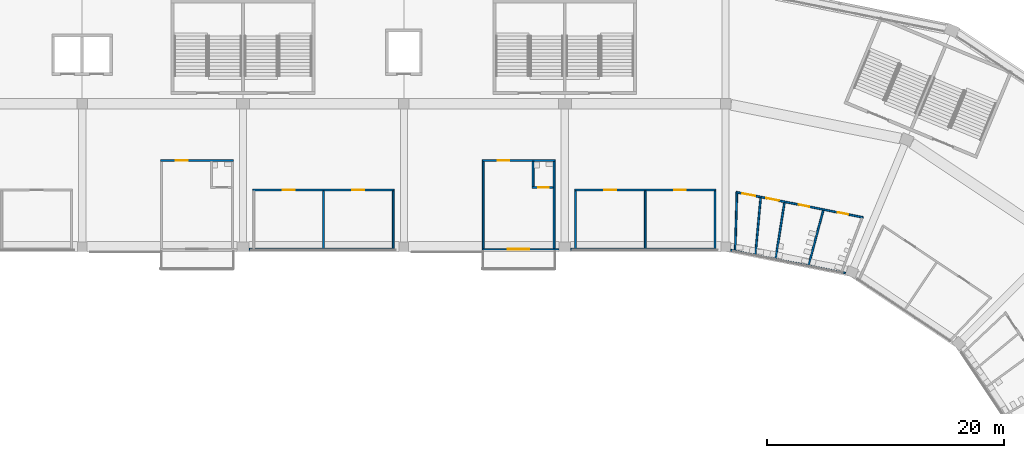
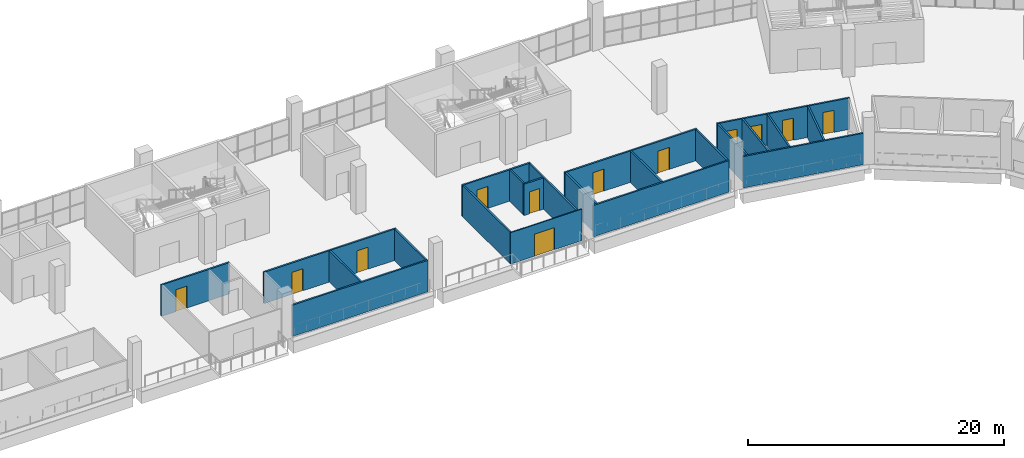
# One storey, part 84 of 199: 22 walls, 12 doors, 12 openings.
"""IFC4 building model written with IfcOpenShell, lengths in metres."""

from ifc_helpers import new_model, si_unit, direction, frame, frame_2d, origin, place, context, subcontext, project, spatial, rectangle, extrude, material, layer, layer_set, type_object, element, fill, save


model = new_model("IFC4")

# Units and contexts
model_context = context("Model", 3, precision=1e-05, world=origin(), true_north=direction((0.0, 1.0)))
body_context = subcontext(model_context, "Body", "Model", "MODEL_VIEW")
ifc_project = project(units=[si_unit("LENGTHUNIT", "METRE"), si_unit("AREAUNIT", "SQUARE_METRE"), si_unit("VOLUMEUNIT", "CUBIC_METRE"), si_unit("PLANEANGLEUNIT", "RADIAN"), si_unit("MASSUNIT", "GRAM", prefix="KILO")], contexts=[model_context])

# Site, building, storey
site_placement = place(None, origin())
site = spatial("IfcSite", under=ifc_project, at=site_placement, CompositionType="ELEMENT")
building_placement = place(site_placement, origin())
building = spatial("IfcBuilding", under=site, at=building_placement, Name="Ogive Plaza Stadium", CompositionType="ELEMENT")
storey_placement = place(building_placement, frame((0.0, 0.0, 9.0)))
storey = spatial("IfcBuildingStorey", under=building, at=storey_placement, Name="L02", CompositionType="ELEMENT", Elevation=9.0)

# Wall, opening, door
ifc_material_1 = material(Name="Masonry blockwork", Category="masonry")
ifc_layer_1 = layer(ifc_material_1, 0.14990234375)
ifc_layer_set_1 = layer_set([ifc_layer_1], Name="Blockwork wall 150")
wall_type_1 = type_object("IfcWallType", Name="Blockwork wall 150", PredefinedType="SOLIDWALL", material=ifc_layer_set_1)
wall_1_placement = place(storey_placement, frame((-7.625, 87.699951171875, 0.0), z_axis=(0.0, 0.0, 1.0), x_axis=(-1.0, 0.0, 0.0)))
wall_1 = element("IfcWall", 1, at=wall_1_placement, inside=storey, type_object=wall_type_1, Name="Wall L02 B33", PredefinedType="SOLIDWALL", context=body_context, shape_type="SweptSolid", body=[
    extrude(rectangle(XDim=6.14990234375, YDim=0.14990234375, at=frame_2d((3.074951171875, 0.0))), origin(), (0.0, 0.0, 1.0), 3.0),
])
opening_1_placement = place(wall_1_placement, frame((3.862060546875, 0.0, 0.0)))
opening_1 = element("IfcOpeningElement", 2, at=opening_1_placement, cuts=wall_1, Name="Opening D0727", PredefinedType="OPENING", context=body_context, shape_type="SweptSolid", body=[
    extrude(rectangle(XDim=1.0, YDim=2.10009765625, at=frame_2d((0.5, 1.050048828125))), frame((0.0, 0.074951171875, 0.0), z_axis=(0.0, -1.0, 0.0), x_axis=(1.0, 0.0, 0.0)), (0.0, 0.0, 1.0), 0.14990234375),
])
ifc_material_2 = material(Name="Steel ASTM A572 Grade 50", Category="steel")
door_type_1 = type_object("IfcDoorType", Name="Fire door FD30S 1000 x 2100", OperationType="SINGLE_SWING_LEFT", PredefinedType="DOOR", material=ifc_material_2)
door_1_placement = place(opening_1_placement, origin())
door_1 = element("IfcDoor", 3, at=door_1_placement, inside=storey, type_object=door_type_1, Name="Hospitality Suite B33 door", OperationType="SINGLE_SWING_LEFT", OverallHeight=2.10009765625, OverallWidth=1.0, PredefinedType="DOOR", context=body_context, shape_type="SweptSolid", body=[
    extrude(rectangle(XDim=1.0, YDim=2.10009765625, at=frame_2d((0.5, 1.050048828125))), frame((0.0, 0.02490234375, 0.0), z_axis=(0.0, -1.0, 0.0), x_axis=(1.0, 0.0, 0.0)), (0.0, 0.0, 1.0), 0.050048828125),
])
fill(opening_1, door_1)

# Wall
wall_2_placement = place(storey_placement, frame((-6.300048828125, 80.199951171875, 0.0), z_axis=(0.0, 0.0, 1.0), x_axis=(1.0, 0.0, 0.0)))
element("IfcWall", 4, at=wall_2_placement, inside=storey, type_object=wall_type_1, Name="Wall L02 B34", PredefinedType="SOLIDWALL", context=body_context, shape_type="SweptSolid", body=[
    extrude(rectangle(XDim=12.275146484375, YDim=0.14990234375, at=frame_2d((6.1376953125, 0.0))), origin(), (0.0, 0.0, 1.0), 3.0),
])

# Wall, openings, doors
wall_3_placement = place(storey_placement, frame((-5.97509765625, 85.199951171875, 0.0), z_axis=(0.0, 0.0, 1.0), x_axis=(1.0, 0.0, 0.0)))
wall_3 = element("IfcWall", 5, at=wall_3_placement, inside=storey, type_object=wall_type_1, Name="Wall L02 B34", PredefinedType="SOLIDWALL", context=body_context, shape_type="SweptSolid", body=[
    extrude(rectangle(XDim=11.9501953125, YDim=0.14990234375, at=frame_2d((5.97509765625, 0.0))), origin(), (0.0, 0.0, 1.0), 3.0),
])
opening_2_placement = place(wall_3_placement, frame((2.52490234375, 0.0, 0.0)))
opening_2 = element("IfcOpeningElement", 6, at=opening_2_placement, cuts=wall_3, Name="Opening D0730", PredefinedType="OPENING", context=body_context, shape_type="SweptSolid", body=[
    extrude(rectangle(XDim=1.0, YDim=2.10009765625, at=frame_2d((0.5, 1.050048828125))), frame((0.0, 0.074951171875, 0.0), z_axis=(0.0, -1.0, 0.0), x_axis=(1.0, 0.0, 0.0)), (0.0, 0.0, 1.0), 0.14990234375),
])
opening_3_placement = place(wall_3_placement, frame((8.425048828125, 0.0, 0.0)))
opening_3 = element("IfcOpeningElement", 7, at=opening_3_placement, cuts=wall_3, Name="Opening D0731", PredefinedType="OPENING", context=body_context, shape_type="SweptSolid", body=[
    extrude(rectangle(XDim=1.0, YDim=2.10009765625, at=frame_2d((0.5, 1.050048828125))), frame((0.0, 0.074951171875, 0.0), z_axis=(0.0, -1.0, 0.0), x_axis=(1.0, 0.0, 0.0)), (0.0, 0.0, 1.0), 0.14990234375),
])
ifc_material_3 = material(Name="Steel ASTM A572 Grade 50", Category="steel")
door_type_2 = type_object("IfcDoorType", Name="Fire door FD60 1000 x 2100", OperationType="SINGLE_SWING_LEFT", PredefinedType="DOOR", material=ifc_material_3)
door_2_placement = place(opening_2_placement, origin())
door_2 = element("IfcDoor", 8, at=door_2_placement, inside=storey, type_object=door_type_2, Name="Hospitality Pantry B34 door", OperationType="SINGLE_SWING_LEFT", OverallHeight=2.10009765625, OverallWidth=1.0, PredefinedType="DOOR", context=body_context, shape_type="SweptSolid", body=[
    extrude(rectangle(XDim=1.0, YDim=2.10009765625, at=frame_2d((0.5, 1.050048828125))), frame((0.0, 0.02490234375, 0.0), z_axis=(0.0, -1.0, 0.0), x_axis=(1.0, 0.0, 0.0)), (0.0, 0.0, 1.0), 0.050048828125),
])
fill(opening_2, door_2)
door_3_placement = place(opening_3_placement, origin())
door_3 = element("IfcDoor", 9, at=door_3_placement, inside=storey, type_object=door_type_2, Name="Hospitality Store B34 door", OperationType="SINGLE_SWING_RIGHT", OverallHeight=2.10009765625, OverallWidth=1.0, PredefinedType="DOOR", context=body_context, shape_type="SweptSolid", body=[
    extrude(rectangle(XDim=1.0, YDim=2.10009765625, at=frame_2d((0.5, 1.050048828125))), frame((0.0, 0.02490234375, 0.0), z_axis=(0.0, -1.0, 0.0), x_axis=(1.0, 0.0, 0.0)), (0.0, 0.0, 1.0), 0.050048828125),
])
fill(opening_3, door_3)

# Walls
for number, where, z_axis, x_axis, name in (
    (10, (0.0, 80.27490234375, 0.0), (0.0, 0.0, 1.0), (0.0, 1.0, 0.0), "Wall L02 B34"),
    (11, (5.89990234375, 80.27490234375, 0.0), (0.0, 0.0, 1.0), (0.0, 1.0, 0.0), "Wall L02 B34"),
):
    element("IfcWall", number, at=place(storey_placement, frame(where, z_axis=z_axis, x_axis=x_axis)), inside=storey, type_object=wall_type_1, Name=name, PredefinedType="SOLIDWALL", context=body_context, shape_type="SweptSolid", body=[
        extrude(rectangle(XDim=4.85009765625, YDim=0.14990234375, at=frame_2d((2.425048828125, 0.0))), origin(), (0.0, 0.0, 1.0), 3.0),
    ])

# Wall, opening, door
wall_4_placement = place(storey_placement, frame((19.574951171875, 87.699951171875, 0.0), z_axis=(0.0, 0.0, 1.0), x_axis=(-1.0, 0.0, 0.0)))
wall_4 = element("IfcWall", 12, at=wall_4_placement, inside=storey, type_object=wall_type_1, Name="Wall L02 B35", PredefinedType="SOLIDWALL", context=body_context, shape_type="SweptSolid", body=[
    extrude(rectangle(XDim=6.14990234375, YDim=0.14990234375, at=frame_2d((3.074951171875, 0.0))), origin(), (0.0, 0.0, 1.0), 3.0),
])
opening_4_placement = place(wall_4_placement, frame((3.862060546875, 0.0, 0.0)))
opening_4 = element("IfcOpeningElement", 13, at=opening_4_placement, cuts=wall_4, Name="Opening D0732", PredefinedType="OPENING", context=body_context, shape_type="SweptSolid", body=[
    extrude(rectangle(XDim=1.0, YDim=2.10009765625, at=frame_2d((0.5, 1.050048828125))), frame((0.0, 0.074951171875, 0.0), z_axis=(0.0, -1.0, 0.0), x_axis=(1.0, 0.0, 0.0)), (0.0, 0.0, 1.0), 0.14990234375),
])
door_4_placement = place(opening_4_placement, origin())
door_4 = element("IfcDoor", 14, at=door_4_placement, inside=storey, type_object=door_type_1, Name="Hospitality Suite B35 door", OperationType="SINGLE_SWING_LEFT", OverallHeight=2.10009765625, OverallWidth=1.0, PredefinedType="DOOR", context=body_context, shape_type="SweptSolid", body=[
    extrude(rectangle(XDim=1.0, YDim=2.10009765625, at=frame_2d((0.5, 1.050048828125))), frame((0.0, 0.02490234375, 0.0), z_axis=(0.0, -1.0, 0.0), x_axis=(1.0, 0.0, 0.0)), (0.0, 0.0, 1.0), 0.050048828125),
])
fill(opening_4, door_4)

# Walls
for number, where, z_axis, x_axis, name in (
    (15, (19.5, 80.25, 0.0), (0.0, 0.0, 1.0), (0.0, 1.0, 0.0), "Wall L02 B35"),
    (16, (13.5, 80.25, 0.0), (0.0, 0.0, 1.0), (0.0, 1.0, 0.0), "Wall L02 B35"),
):
    element("IfcWall", number, at=place(storey_placement, frame(where, z_axis=z_axis, x_axis=x_axis)), inside=storey, type_object=wall_type_1, Name=name, PredefinedType="SOLIDWALL", context=body_context, shape_type="SweptSolid", body=[
        extrude(rectangle(XDim=7.375, YDim=0.14990234375, at=frame_2d((3.6875, 0.0))), origin(), (0.0, 0.0, 1.0), 3.0),
    ])
wall_5_placement = place(storey_placement, frame((20.89990234375, 80.199951171875, 0.0), z_axis=(0.0, 0.0, 1.0), x_axis=(1.0, 0.0, 0.0)))
element("IfcWall", 17, at=wall_5_placement, inside=storey, type_object=wall_type_1, Name="Wall L02 B36", PredefinedType="SOLIDWALL", context=body_context, shape_type="SweptSolid", body=[
    extrude(rectangle(XDim=12.275146484375, YDim=0.14990234375, at=frame_2d((6.1376953125, 0.0))), origin(), (0.0, 0.0, 1.0), 3.0),
])

# Wall, openings, doors
wall_6_placement = place(storey_placement, frame((21.22509765625, 85.199951171875, 0.0), z_axis=(0.0, 0.0, 1.0), x_axis=(1.0, 0.0, 0.0)))
wall_6 = element("IfcWall", 18, at=wall_6_placement, inside=storey, type_object=wall_type_1, Name="Wall L02 B36", PredefinedType="SOLIDWALL", context=body_context, shape_type="SweptSolid", body=[
    extrude(rectangle(XDim=11.949951171875, YDim=0.14990234375, at=frame_2d((5.97509765625, 0.0))), origin(), (0.0, 0.0, 1.0), 3.0),
])
opening_5_placement = place(wall_6_placement, frame((2.52490234375, 0.0, 0.0)))
opening_5 = element("IfcOpeningElement", 19, at=opening_5_placement, cuts=wall_6, Name="Opening D0735", PredefinedType="OPENING", context=body_context, shape_type="SweptSolid", body=[
    extrude(rectangle(XDim=1.0, YDim=2.10009765625, at=frame_2d((0.5, 1.050048828125))), frame((0.0, 0.074951171875, 0.0), z_axis=(0.0, -1.0, 0.0), x_axis=(1.0, 0.0, 0.0)), (0.0, 0.0, 1.0), 0.14990234375),
])
opening_6_placement = place(wall_6_placement, frame((8.425048828125, 0.0, 0.0)))
opening_6 = element("IfcOpeningElement", 20, at=opening_6_placement, cuts=wall_6, Name="Opening D0736", PredefinedType="OPENING", context=body_context, shape_type="SweptSolid", body=[
    extrude(rectangle(XDim=1.0, YDim=2.10009765625, at=frame_2d((0.5, 1.050048828125))), frame((0.0, 0.074951171875, 0.0), z_axis=(0.0, -1.0, 0.0), x_axis=(1.0, 0.0, 0.0)), (0.0, 0.0, 1.0), 0.14990234375),
])
door_5_placement = place(opening_5_placement, origin())
door_5 = element("IfcDoor", 21, at=door_5_placement, inside=storey, type_object=door_type_2, Name="Hospitality Pantry B36 door", OperationType="SINGLE_SWING_RIGHT", OverallHeight=2.10009765625, OverallWidth=1.0, PredefinedType="DOOR", context=body_context, shape_type="SweptSolid", body=[
    extrude(rectangle(XDim=1.0, YDim=2.10009765625, at=frame_2d((0.5, 1.050048828125))), frame((0.0, 0.02490234375, 0.0), z_axis=(0.0, -1.0, 0.0), x_axis=(1.0, 0.0, 0.0)), (0.0, 0.0, 1.0), 0.050048828125),
])
fill(opening_5, door_5)
door_6_placement = place(opening_6_placement, origin())
door_6 = element("IfcDoor", 22, at=door_6_placement, inside=storey, type_object=door_type_2, Name="Hospitality Store B36 door", OperationType="SINGLE_SWING_LEFT", OverallHeight=2.10009765625, OverallWidth=1.0, PredefinedType="DOOR", context=body_context, shape_type="SweptSolid", body=[
    extrude(rectangle(XDim=1.0, YDim=2.10009765625, at=frame_2d((0.5, 1.050048828125))), frame((0.0, 0.02490234375, 0.0), z_axis=(0.0, -1.0, 0.0), x_axis=(1.0, 0.0, 0.0)), (0.0, 0.0, 1.0), 0.050048828125),
])
fill(opening_6, door_6)

# Walls
for number, where, z_axis, x_axis, name in (
    (23, (21.300048828125, 80.27490234375, 0.0), (0.0, 0.0, 1.0), (0.0, 1.0, 0.0), "Wall L02 B36"),
    (24, (27.199951171875, 80.27490234375, 0.0), (0.0, 0.0, 1.0), (0.0, 1.0, 0.0), "Wall L02 B36"),
    (25, (33.10009765625, 80.27490234375, 0.0), (0.0, 0.0, 1.0), (0.0, 1.0, 0.0), "Wall L02 B36"),
):
    element("IfcWall", number, at=place(storey_placement, frame(where, z_axis=z_axis, x_axis=x_axis)), inside=storey, type_object=wall_type_1, Name=name, PredefinedType="SOLIDWALL", context=body_context, shape_type="SweptSolid", body=[
        extrude(rectangle(XDim=4.85009765625, YDim=0.14990234375, at=frame_2d((2.425048828125, 0.0))), origin(), (0.0, 0.0, 1.0), 3.0),
    ])

# Wall, opening, door
ifc_material_4 = material(Name="Laminated glass in aluminium frame", Category="aluminium")
ifc_layer_2 = layer(ifc_material_4, 0.10009765625)
ifc_layer_set_2 = layer_set([ifc_layer_2], Name="Glazed partition 100")
wall_type_2 = type_object("IfcWallType", Name="Glazed partition 100", PredefinedType="PARTITIONING", material=ifc_layer_set_2)
wall_7_placement = place(storey_placement, frame((19.89990234375, 80.199951171875, 0.0), z_axis=(0.0, 0.0, 1.0), x_axis=(-1.0, 0.0, 0.0)))
wall_7 = element("IfcWall", 26, at=wall_7_placement, inside=storey, type_object=wall_type_2, Name="Wall L02 B35", PredefinedType="PARTITIONING", context=body_context, shape_type="SweptSolid", body=[
    extrude(rectangle(XDim=6.474853515625, YDim=0.10009765625, at=frame_2d((3.2373046875, 0.0))), origin(), (0.0, 0.0, 1.0), 3.0),
])
opening_7_placement = place(wall_7_placement, frame((2.5, 0.0, 0.0)))
opening_7 = element("IfcOpeningElement", 27, at=opening_7_placement, cuts=wall_7, Name="Opening D0733", PredefinedType="OPENING", context=body_context, shape_type="SweptSolid", body=[
    extrude(rectangle(XDim=1.800048828125, YDim=2.10009765625, at=frame_2d((0.89990234375, 1.050048828125))), frame((0.0, 0.050048828125, 0.0), z_axis=(0.0, -1.0, 0.0), x_axis=(1.0, 0.0, 0.0)), (0.0, 0.0, 1.0), 0.10009765625),
])
ifc_material_5 = material(Name="Steel ASTM A572 Grade 50", Category="steel")
door_type_3 = type_object("IfcDoorType", Name="Door pair 1800 x 2100", OperationType="DOUBLE_DOOR_SINGLE_SWING", PredefinedType="DOOR", material=ifc_material_5)
door_7_placement = place(opening_7_placement, origin())
door_7 = element("IfcDoor", 28, at=door_7_placement, inside=storey, type_object=door_type_3, Name="Suite terrace door B35", OperationType="DOUBLE_DOOR_SINGLE_SWING", OverallHeight=2.10009765625, OverallWidth=1.800048828125, PredefinedType="DOOR", context=body_context, shape_type="SweptSolid", body=[
    extrude(rectangle(XDim=1.800048828125, YDim=2.10009765625, at=frame_2d((0.89990234375, 1.050048828125))), frame((0.0, 0.02490234375, 0.0), z_axis=(0.0, -1.0, 0.0), x_axis=(1.0, 0.0, 0.0)), (0.0, 0.0, 1.0), 0.050048828125),
])
fill(opening_7, door_7)

ifc_material_6 = material(Name="Gypsum board partition", Category="gypsum")
ifc_layer_3 = layer(ifc_material_6, 0.14990234375)
ifc_layer_set_3 = layer_set([ifc_layer_3], Name="Partition 150")
wall_type_3 = type_object("IfcWallType", Name="Partition 150", PredefinedType="PARTITIONING", material=ifc_layer_set_3)
wall_8_placement = place(storey_placement, frame((19.425048828125, 85.425048828125, 0.0), z_axis=(0.0, 0.0, 1.0), x_axis=(-1.0, 0.0, 0.0)))
wall_8 = element("IfcWall", 29, at=wall_8_placement, inside=storey, type_object=wall_type_3, Name="Wall L02 B35", PredefinedType="PARTITIONING", context=body_context, shape_type="SweptSolid", body=[
    extrude(rectangle(XDim=1.775146484375, YDim=0.14990234375, at=frame_2d((0.8876953125, 0.0))), origin(), (0.0, 0.0, 1.0), 3.0),
])
opening_8_placement = place(wall_8_placement, frame((0.362548828125, 0.0, 0.0)))
opening_8 = element("IfcOpeningElement", 30, at=opening_8_placement, cuts=wall_8, Name="Opening D0734", PredefinedType="OPENING", context=body_context, shape_type="SweptSolid", body=[
    extrude(rectangle(XDim=0.89990234375, YDim=2.10009765625, at=frame_2d((0.449951171875, 1.050048828125))), frame((0.0, 0.074951171875, 0.0), z_axis=(0.0, -1.0, 0.0), x_axis=(1.0, 0.0, 0.0)), (0.0, 0.0, 1.0), 0.14990234375),
])
ifc_material_7 = material(Name="Steel ASTM A572 Grade 50", Category="steel")
door_type_4 = type_object("IfcDoorType", Name="Door 900 x 2100", OperationType="SINGLE_SWING_LEFT", PredefinedType="DOOR", material=ifc_material_7)
door_8_placement = place(opening_8_placement, origin())
door_8 = element("IfcDoor", 31, at=door_8_placement, inside=storey, type_object=door_type_4, Name="Suite WC B35 door", OperationType="SINGLE_SWING_LEFT", OverallHeight=2.10009765625, OverallWidth=0.89990234375, PredefinedType="DOOR", context=body_context, shape_type="SweptSolid", body=[
    extrude(rectangle(XDim=0.89990234375, YDim=2.10009765625, at=frame_2d((0.449951171875, 1.050048828125))), frame((0.0, 0.02490234375, 0.0), z_axis=(0.0, -1.0, 0.0), x_axis=(1.0, 0.0, 0.0)), (0.0, 0.0, 1.0), 0.050048828125),
])
fill(opening_8, door_8)

# Walls
wall_9_placement = place(storey_placement, frame((17.72509765625, 85.5, 0.0), z_axis=(0.0, 0.0, 1.0), x_axis=(0.0, 1.0, 0.0)))
element("IfcWall", 32, at=wall_9_placement, inside=storey, type_object=wall_type_3, Name="Wall L02 B35", PredefinedType="PARTITIONING", context=body_context, shape_type="SweptSolid", body=[
    extrude(rectangle(XDim=2.125, YDim=0.14990234375, at=frame_2d((1.0625, 0.0))), origin(), (0.0, 0.0, 1.0), 3.0),
])
wall_10_placement = place(storey_placement, frame((44.150390625, 78.180908203125, 0.0), z_axis=(0.0, 0.0, 1.0), x_axis=(-0.980786042223, 0.195086492048, 0.0)))
element("IfcWall", 33, at=wall_10_placement, inside=storey, type_object=wall_type_3, Name="Wall L02 B37", PredefinedType="PARTITIONING", context=body_context, shape_type="SweptSolid", body=[
    extrude(rectangle(XDim=9.94140625, YDim=0.14990234375, at=frame_2d((4.970703125, 0.0))), origin(), (0.0, 0.0, 1.0), 3.0),
])

# Wall, openings, doors
wall_11_placement = place(storey_placement, frame((45.6376953125, 82.88525390625, 0.0), z_axis=(0.0, 0.0, 1.0), x_axis=(-0.980788934186, 0.195071952313, 0.0)))
wall_11 = element("IfcWall", 34, at=wall_11_placement, inside=storey, type_object=wall_type_3, Name="Wall L02 B37", PredefinedType="PARTITIONING", context=body_context, shape_type="SweptSolid", body=[
    extrude(rectangle(XDim=10.97216796875, YDim=0.14990234375, at=frame_2d((5.486083984375, 0.0))), origin(), (0.0, 0.0, 1.0), 3.0),
])
opening_9_placement = place(wall_11_placement, frame((1.306640625, 0.0, 0.0)))
opening_9 = element("IfcOpeningElement", 35, at=opening_9_placement, cuts=wall_11, Name="Opening D0737", PredefinedType="OPENING", context=body_context, shape_type="SweptSolid", body=[
    extrude(rectangle(XDim=0.89990234375, YDim=2.10009765625, at=frame_2d((0.449951171875, 1.050048828125))), frame((0.0, 0.074951171875, 0.0), z_axis=(0.0, -1.0, 0.0), x_axis=(1.0, 0.0, 0.0)), (0.0, 0.0, 1.0), 0.14990234375),
])
opening_10_placement = place(wall_11_placement, frame((4.65771484375, 0.0, 0.0)))
opening_10 = element("IfcOpeningElement", 36, at=opening_10_placement, cuts=wall_11, Name="Opening D0738", PredefinedType="OPENING", context=body_context, shape_type="SweptSolid", body=[
    extrude(rectangle(XDim=0.89990234375, YDim=2.10009765625, at=frame_2d((0.449951171875, 1.050048828125))), frame((0.0, 0.074951171875, 0.0), z_axis=(0.0, -1.0, 0.0), x_axis=(1.0, 0.0, 0.0)), (0.0, 0.0, 1.0), 0.14990234375),
])
opening_11_placement = place(wall_11_placement, frame((7.26025390625, 0.0, 0.0)))
opening_11 = element("IfcOpeningElement", 37, at=opening_11_placement, cuts=wall_11, Name="Opening D0739", PredefinedType="OPENING", context=body_context, shape_type="SweptSolid", body=[
    extrude(rectangle(XDim=1.10009765625, YDim=2.10009765625, at=frame_2d((0.550048828125, 1.050048828125))), frame((0.0, 0.074951171875, 0.0), z_axis=(0.0, -1.0, 0.0), x_axis=(1.0, 0.0, 0.0)), (0.0, 0.0, 1.0), 0.14990234375),
])
opening_12_placement = place(wall_11_placement, frame((9.314208984375, 0.0, 0.0)))
opening_12 = element("IfcOpeningElement", 38, at=opening_12_placement, cuts=wall_11, Name="Opening D0740", PredefinedType="OPENING", context=body_context, shape_type="SweptSolid", body=[
    extrude(rectangle(XDim=1.10009765625, YDim=2.10009765625, at=frame_2d((0.550048828125, 1.050048828125))), frame((0.0, 0.074951171875, 0.0), z_axis=(0.0, -1.0, 0.0), x_axis=(1.0, 0.0, 0.0)), (0.0, 0.0, 1.0), 0.14990234375),
])
ifc_material_8 = material(Name="Steel ASTM A572 Grade 50", Category="steel")
door_type_5 = type_object("IfcDoorType", Name="Accessible door 1100 x 2100", OperationType="SINGLE_SWING_LEFT", PredefinedType="DOOR", material=ifc_material_8)
door_9_placement = place(opening_11_placement, origin())
door_9 = element("IfcDoor", 39, at=door_9_placement, inside=storey, type_object=door_type_5, Name="Accessible WC B37 door", OperationType="SINGLE_SWING_LEFT", OverallHeight=2.10009765625, OverallWidth=1.10009765625, PredefinedType="DOOR", context=body_context, shape_type="SweptSolid", body=[
    extrude(rectangle(XDim=1.10009765625, YDim=2.10009765625, at=frame_2d((0.550048828125, 1.050048828125))), frame((0.0, 0.02490234375, 0.0), z_axis=(0.0, -1.0, 0.0), x_axis=(1.0, 0.0, 0.0)), (0.0, 0.0, 1.0), 0.050048828125),
])
fill(opening_11, door_9)
door_10_placement = place(opening_12_placement, origin())
door_10 = element("IfcDoor", 40, at=door_10_placement, inside=storey, type_object=door_type_5, Name="Family WC B37 door", OperationType="SINGLE_SWING_LEFT", OverallHeight=2.10009765625, OverallWidth=1.10009765625, PredefinedType="DOOR", context=body_context, shape_type="SweptSolid", body=[
    extrude(rectangle(XDim=1.10009765625, YDim=2.10009765625, at=frame_2d((0.550048828125, 1.050048828125))), frame((0.0, 0.02490234375, 0.0), z_axis=(0.0, -1.0, 0.0), x_axis=(1.0, 0.0, 0.0)), (0.0, 0.0, 1.0), 0.050048828125),
])
fill(opening_12, door_10)
door_11_placement = place(opening_9_placement, origin())
door_11 = element("IfcDoor", 41, at=door_11_placement, inside=storey, type_object=door_type_4, Name="Men's Toilet B37 door", OperationType="SINGLE_SWING_RIGHT", OverallHeight=2.10009765625, OverallWidth=0.89990234375, PredefinedType="DOOR", context=body_context, shape_type="SweptSolid", body=[
    extrude(rectangle(XDim=0.89990234375, YDim=2.10009765625, at=frame_2d((0.449951171875, 1.050048828125))), frame((0.0, 0.02490234375, 0.0), z_axis=(0.0, -1.0, 0.0), x_axis=(1.0, 0.0, 0.0)), (0.0, 0.0, 1.0), 0.050048828125),
])
fill(opening_9, door_11)
door_12_placement = place(opening_10_placement, origin())
door_12 = element("IfcDoor", 42, at=door_12_placement, inside=storey, type_object=door_type_4, Name="Women's Toilet B37 door", OperationType="SINGLE_SWING_RIGHT", OverallHeight=2.10009765625, OverallWidth=0.89990234375, PredefinedType="DOOR", context=body_context, shape_type="SweptSolid", body=[
    extrude(rectangle(XDim=0.89990234375, YDim=2.10009765625, at=frame_2d((0.449951171875, 1.050048828125))), frame((0.0, 0.02490234375, 0.0), z_axis=(0.0, -1.0, 0.0), x_axis=(1.0, 0.0, 0.0)), (0.0, 0.0, 1.0), 0.050048828125),
])
fill(opening_10, door_12)

# Walls
wall_12_placement = place(storey_placement, frame((41.025634765625, 78.87744140625, 0.0), z_axis=(0.0, 0.0, 1.0), x_axis=(0.257378912157, 0.966310558556, 0.0)))
element("IfcWall", 43, at=wall_12_placement, inside=storey, type_object=wall_type_3, Name="Wall L02 B37", PredefinedType="PARTITIONING", context=body_context, shape_type="SweptSolid", body=[
    extrude(rectangle(XDim=4.7666015625, YDim=0.14990234375, at=frame_2d((2.38330078125, 0.0))), origin(), (0.0, 0.0, 1.0), 3.0),
])
wall_13_placement = place(storey_placement, frame((38.23388671875, 79.432861328125, 0.0), z_axis=(0.0, 0.0, 1.0), x_axis=(0.155285736325, 0.987869596705, 0.0)))
element("IfcWall", 44, at=wall_13_placement, inside=storey, type_object=wall_type_3, Name="Wall L02 B37", PredefinedType="PARTITIONING", context=body_context, shape_type="SweptSolid", body=[
    extrude(rectangle(XDim=4.7607421875, YDim=0.14990234375, at=frame_2d((2.38037109375, 0.0))), origin(), (0.0, 0.0, 1.0), 3.0),
])
wall_14_placement = place(storey_placement, frame((36.52294921875, 79.773193359375, 0.0), z_axis=(0.0, 0.0, 1.0), x_axis=(0.09208667632, 0.995750995, 0.0)))
element("IfcWall", 45, at=wall_14_placement, inside=storey, type_object=wall_type_3, Name="Wall L02 B37", PredefinedType="PARTITIONING", context=body_context, shape_type="SweptSolid", body=[
    extrude(rectangle(XDim=4.78271484375, YDim=0.14990234375, at=frame_2d((2.391357421875, 0.0))), origin(), (0.0, 0.0, 1.0), 3.0),
])
wall_15_placement = place(storey_placement, frame((34.811767578125, 80.113525390625, 0.0), z_axis=(0.0, 0.0, 1.0), x_axis=(0.029405000692, 0.999567579473, 0.0)))
element("IfcWall", 46, at=wall_15_placement, inside=storey, type_object=wall_type_3, Name="Wall L02 B37", PredefinedType="PARTITIONING", context=body_context, shape_type="SweptSolid", body=[
    extrude(rectangle(XDim=4.823974609375, YDim=0.14990234375, at=frame_2d((2.412109375, 0.0))), origin(), (0.0, 0.0, 1.0), 3.0),
])

save(model, "model.ifc")
